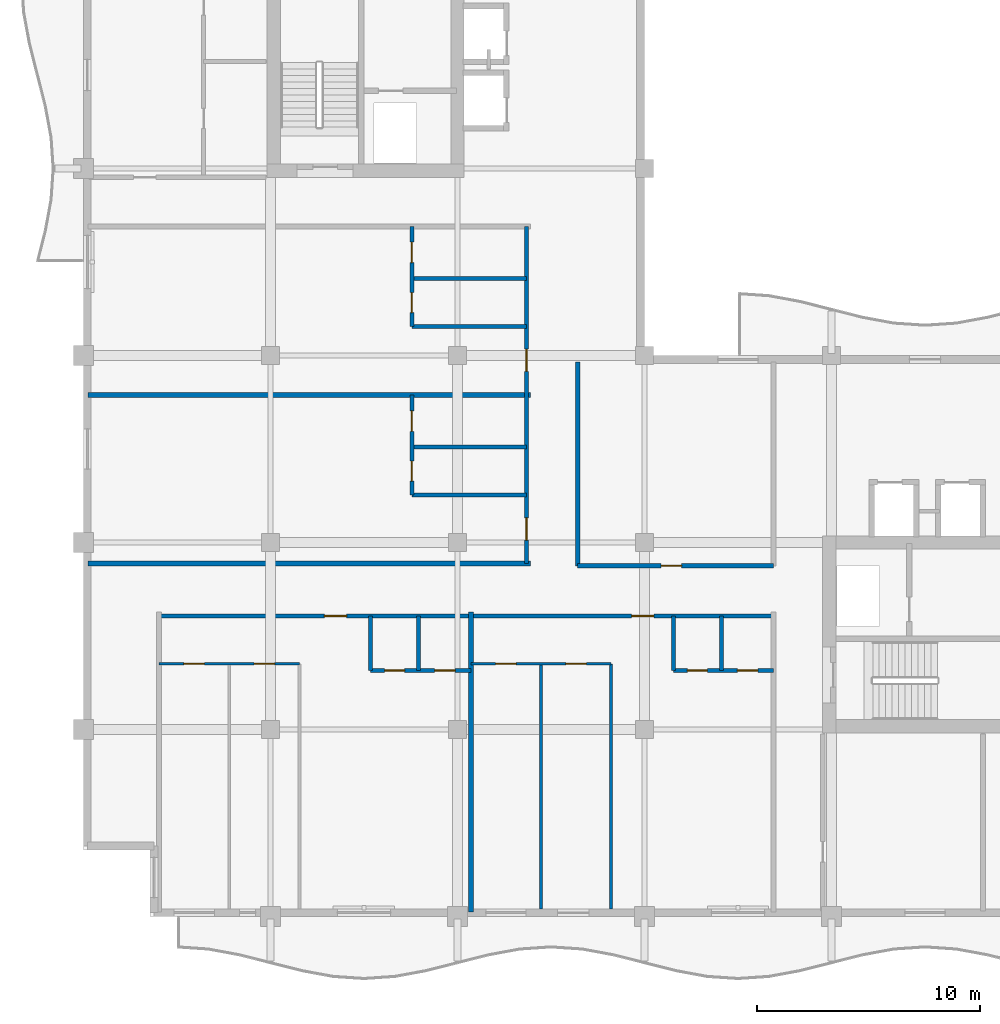
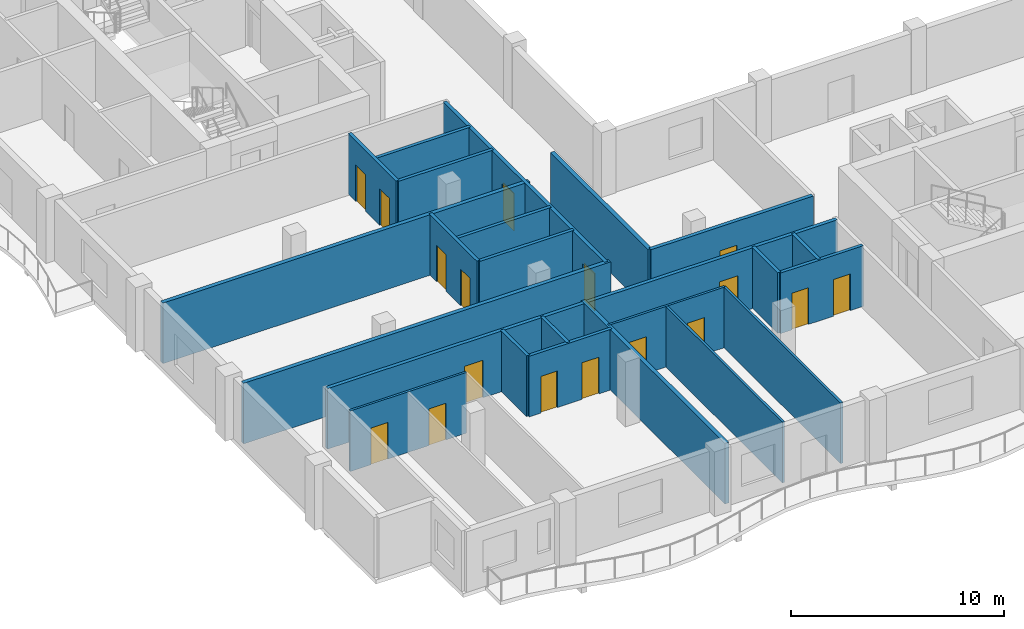
# One storey, part 6 of 16: 23 walls, 17 doors, 17 openings.
"""IFC4 building model written with IfcOpenShell, lengths in metres."""

from ifc_helpers import new_model, si_unit, direction, frame, frame_2d, origin, place, context, subcontext, project, spatial, rectangle, extrude, material, layer, layer_set, type_object, element, fill, save


model = new_model("IFC4")

# Units and contexts
model_context = context("Model", 3, precision=1e-05, world=origin(), true_north=direction((0.0, 1.0)))
body_context = subcontext(model_context, "Body", "Model", "MODEL_VIEW")
ifc_project = project(units=[si_unit("LENGTHUNIT", "METRE"), si_unit("AREAUNIT", "SQUARE_METRE"), si_unit("VOLUMEUNIT", "CUBIC_METRE"), si_unit("PLANEANGLEUNIT", "RADIAN"), si_unit("MASSUNIT", "GRAM", prefix="KILO")], contexts=[model_context])

# Site, building, storey
site_placement = place(None, origin())
site = spatial("IfcSite", under=ifc_project, at=site_placement, CompositionType="ELEMENT")
building_placement = place(site_placement, origin())
building = spatial("IfcBuilding", under=site, at=building_placement, Name="Koriwani Terraces Tower", CompositionType="ELEMENT")
storey_placement = place(building_placement, frame((0.0, 0.0, 260.10009765625)))
storey = spatial("IfcBuildingStorey", under=building, at=storey_placement, Name="L64", CompositionType="ELEMENT", Elevation=260.10009765625)

# Wall, opening, door
ifc_material_1 = material(Name="Autoclaved Cellular Concrete Blockwork", Category="masonry")
ifc_layer_1 = layer(ifc_material_1, 0.199951171875, Name="Autoclaved Cellular Concrete Blockwork")
ifc_layer_set_1 = layer_set([ifc_layer_1], Name="Autoclaved Cellular Concrete Blockwork")
wall_type_1 = type_object("IfcWallType", Name="WALL_CORRIDOR_200", PredefinedType="PARTITIONING", material=ifc_layer_set_1)
wall_1_placement = place(storey_placement, frame((30.60009765625, 24.14990234375, 0.0), z_axis=(0.0, 0.0, 1.0), x_axis=(1.0, 0.0, 0.0)))
wall_1 = element("IfcWall", 1, at=wall_1_placement, inside=storey, type_object=wall_type_1, Name="L64 Interior Wall WIC4S-L64", PredefinedType="PARTITIONING", context=body_context, shape_type="SweptSolid", body=[
    extrude(rectangle(XDim=8.7998046875, YDim=0.199951171875, at=frame_2d((4.39990234375, 0.0))), origin(), (0.0, 0.0, 1.0), 3.469970703125),
])
opening_1_placement = place(wall_1_placement, frame((3.75, 0.0, 0.0)))
opening_1 = element("IfcOpeningElement", 2, at=opening_1_placement, cuts=wall_1, Name="Opening D-06", PredefinedType="OPENING", context=body_context, shape_type="SweptSolid", body=[
    extrude(rectangle(XDim=0.919921875, YDim=2.10009765625, at=frame_2d((0.4599609375, 1.050048828125))), frame((0.0, 0.10986328125, 0.0), z_axis=(0.0, -1.0, 0.0), x_axis=(1.0, 0.0, 0.0)), (0.0, 0.0, 1.0), 0.219970703125),
])
ifc_material_2 = material(Name="Architectural Oak Fire Door", Category="wood")
door_type_1 = type_object("IfcDoorType", Name="DOOR_ROOM_INT_920X2100", OperationType="NOTDEFINED", PredefinedType="DOOR", material=ifc_material_2)
door_1_placement = place(opening_1_placement, origin())
door_1 = element("IfcDoor", 3, at=door_1_placement, inside=storey, type_object=door_type_1, Name="L64 High-Rise Court Lounge Door", OperationType="SINGLE_SWING_RIGHT", OverallHeight=2.10009765625, OverallWidth=0.919921875, PredefinedType="DOOR", context=body_context, shape_type="SweptSolid", body=[
    extrude(rectangle(XDim=0.919921875, YDim=2.10009765625, at=frame_2d((0.4599609375, 1.050048828125))), frame((0.0, 0.02490234375, 0.0), z_axis=(0.0, -1.0, 0.0), x_axis=(1.0, 0.0, 0.0)), (0.0, 0.0, 1.0), 0.050048828125),
])
fill(opening_1, door_1)

# Wall, openings, doors
wall_2_placement = place(storey_placement, frame((11.800048828125, 21.89990234375, 0.0), z_axis=(0.0, 0.0, 1.0), x_axis=(1.0, 0.0, 0.0)))
wall_2 = element("IfcWall", 4, at=wall_2_placement, inside=storey, type_object=wall_type_1, Name="L64 Interior Wall WRCOR-L64-SW-0", PredefinedType="PARTITIONING", context=body_context, shape_type="SweptSolid", body=[
    extrude(rectangle(XDim=27.599853515625, YDim=0.199951171875, at=frame_2d((13.7998046875, 0.0))), origin(), (0.0, 0.0, 1.0), 3.469970703125),
])
opening_2_placement = place(wall_2_placement, frame((7.419921875, 0.0, 0.0)))
opening_2 = element("IfcOpeningElement", 5, at=opening_2_placement, cuts=wall_2, Name="Opening D-05", PredefinedType="OPENING", context=body_context, shape_type="SweptSolid", body=[
    extrude(rectangle(XDim=1.0, YDim=2.14990234375, at=frame_2d((0.5, 1.074951171875))), frame((0.0, 0.10986328125, 0.0), z_axis=(0.0, -1.0, 0.0), x_axis=(1.0, 0.0, 0.0)), (0.0, 0.0, 1.0), 0.219970703125),
])
opening_3_placement = place(wall_2_placement, frame((21.219970703125, 0.0, 0.0)))
opening_3 = element("IfcOpeningElement", 6, at=opening_3_placement, cuts=wall_2, Name="Opening D-05", PredefinedType="OPENING", context=body_context, shape_type="SweptSolid", body=[
    extrude(rectangle(XDim=1.0, YDim=2.14990234375, at=frame_2d((0.5, 1.074951171875))), frame((0.0, 0.10986328125, 0.0), z_axis=(0.0, -1.0, 0.0), x_axis=(1.0, 0.0, 0.0)), (0.0, 0.0, 1.0), 0.219970703125),
])
door_type_2 = type_object("IfcDoorType", Name="DOOR_SUITE_ENTRY_1000X2150", OperationType="NOTDEFINED", PredefinedType="DOOR", material=ifc_material_2)
door_2_placement = place(opening_2_placement, origin())
door_2 = element("IfcDoor", 7, at=door_2_placement, inside=storey, type_object=door_type_2, Name="Apartment 64SW1 Entrance Door", OperationType="SINGLE_SWING_LEFT", OverallHeight=2.14990234375, OverallWidth=1.0, PredefinedType="DOOR", context=body_context, shape_type="SweptSolid", body=[
    extrude(rectangle(XDim=1.0, YDim=2.14990234375, at=frame_2d((0.5, 1.074951171875))), frame((0.0, 0.02490234375, 0.0), z_axis=(0.0, -1.0, 0.0), x_axis=(1.0, 0.0, 0.0)), (0.0, 0.0, 1.0), 0.050048828125),
])
fill(opening_2, door_2)
door_3_placement = place(opening_3_placement, origin())
door_3 = element("IfcDoor", 8, at=door_3_placement, inside=storey, type_object=door_type_2, Name="Apartment 64SW2 Entrance Door", OperationType="SINGLE_SWING_RIGHT", OverallHeight=2.14990234375, OverallWidth=1.0, PredefinedType="DOOR", context=body_context, shape_type="SweptSolid", body=[
    extrude(rectangle(XDim=1.0, YDim=2.14990234375, at=frame_2d((0.5, 1.074951171875))), frame((0.0, 0.02490234375, 0.0), z_axis=(0.0, -1.0, 0.0), x_axis=(1.0, 0.0, 0.0)), (0.0, 0.0, 1.0), 0.050048828125),
])
fill(opening_3, door_3)

wall_3_placement = place(storey_placement, frame((28.300048828125, 24.25, 0.0), z_axis=(0.0, 0.0, 1.0), x_axis=(0.0, 1.0, 0.0)))
wall_3 = element("IfcWall", 9, at=wall_3_placement, inside=storey, type_object=wall_type_1, Name="L64 Interior Wall WRCOR-L64-NE-0", PredefinedType="PARTITIONING", context=body_context, shape_type="SweptSolid", body=[
    extrude(rectangle(XDim=15.14990234375, YDim=0.199951171875, at=frame_2d((7.574951171875, 0.0))), origin(), (0.0, 0.0, 1.0), 3.469970703125),
])
opening_4_placement = place(wall_3_placement, frame((1.0576171875, 0.0, 0.0)))
opening_4 = element("IfcOpeningElement", 10, at=opening_4_placement, cuts=wall_3, Name="Opening D-05", PredefinedType="OPENING", context=body_context, shape_type="SweptSolid", body=[
    extrude(rectangle(XDim=1.0, YDim=2.14990234375, at=frame_2d((0.5, 1.074951171875))), frame((0.0, 0.10986328125, 0.0), z_axis=(0.0, -1.0, 0.0), x_axis=(1.0, 0.0, 0.0)), (0.0, 0.0, 1.0), 0.219970703125),
])
opening_5_placement = place(wall_3_placement, frame((8.632568359375, 0.0, 0.0)))
opening_5 = element("IfcOpeningElement", 11, at=opening_5_placement, cuts=wall_3, Name="Opening D-05", PredefinedType="OPENING", context=body_context, shape_type="SweptSolid", body=[
    extrude(rectangle(XDim=1.0, YDim=2.14990234375, at=frame_2d((0.5, 1.074951171875))), frame((0.0, 0.10986328125, 0.0), z_axis=(0.0, -1.0, 0.0), x_axis=(1.0, 0.0, 0.0)), (0.0, 0.0, 1.0), 0.219970703125),
])
door_4_placement = place(opening_4_placement, origin())
door_4 = element("IfcDoor", 12, at=door_4_placement, inside=storey, type_object=door_type_2, Name="Apartment 64NE1 Entrance Door", OperationType="SINGLE_SWING_LEFT", OverallHeight=2.14990234375, OverallWidth=1.0, PredefinedType="DOOR", context=body_context, shape_type="SweptSolid", body=[
    extrude(rectangle(XDim=1.0, YDim=2.14990234375, at=frame_2d((0.5, 1.074951171875))), frame((0.0, 0.02490234375, 0.0), z_axis=(0.0, -1.0, 0.0), x_axis=(1.0, 0.0, 0.0)), (0.0, 0.0, 1.0), 0.050048828125),
])
fill(opening_4, door_4)
door_5_placement = place(opening_5_placement, origin())
door_5 = element("IfcDoor", 13, at=door_5_placement, inside=storey, type_object=door_type_2, Name="Apartment 64NE2 Entrance Door", OperationType="SINGLE_SWING_RIGHT", OverallHeight=2.14990234375, OverallWidth=1.0, PredefinedType="DOOR", context=body_context, shape_type="SweptSolid", body=[
    extrude(rectangle(XDim=1.0, YDim=2.14990234375, at=frame_2d((0.5, 1.074951171875))), frame((0.0, 0.02490234375, 0.0), z_axis=(0.0, -1.0, 0.0), x_axis=(1.0, 0.0, 0.0)), (0.0, 0.0, 1.0), 0.050048828125),
])
fill(opening_5, door_5)

# Walls
ifc_layer_2 = layer(ifc_material_1, 0.219970703125, Name="Autoclaved Cellular Concrete Blockwork")
ifc_layer_set_2 = layer_set([ifc_layer_2], Name="Autoclaved Cellular Concrete Blockwork")
wall_type_2 = type_object("IfcWallType", Name="WALL_DEMISING_220", PredefinedType="PARTITIONING", material=ifc_layer_set_2)
wall_4_placement = place(storey_placement, frame((30.60009765625, 24.14990234375, 0.0), z_axis=(0.0, 0.0, 1.0), x_axis=(0.0, 1.0, 0.0)))
element("IfcWall", 14, at=wall_4_placement, inside=storey, type_object=wall_type_2, Name="L64 Interior Wall WIC4SW-L64", PredefinedType="PARTITIONING", context=body_context, shape_type="SweptSolid", body=[
    extrude(rectangle(XDim=9.150146484375, YDim=0.219970703125, at=frame_2d((4.5751953125, 0.0))), origin(), (0.0, 0.0, 1.0), 3.469970703125),
])
wall_5_placement = place(storey_placement, frame((25.800048828125, 8.60009765625, 0.0), z_axis=(0.0, 0.0, 1.0), x_axis=(0.0, 1.0, 0.0)))
element("IfcWall", 15, at=wall_5_placement, inside=storey, type_object=wall_type_2, Name="L64 Interior Wall WRDEM-L64-SW-1", PredefinedType="PARTITIONING", context=body_context, shape_type="SweptSolid", body=[
    extrude(rectangle(XDim=13.47998046875, YDim=0.219970703125, at=frame_2d((6.739990234375, 0.0))), origin(), (0.0, 0.0, 1.0), 3.469970703125),
])
for number, where, z_axis, x_axis, name in (
    (16, (8.60009765625, 24.25, 0.0), (0.0, 0.0, 1.0), (1.0, 0.0, 0.0), "L64 Interior Wall WRDEM-L64-NE-0"),
    (17, (8.60009765625, 31.824951171875, 0.0), (0.0, 0.0, 1.0), (1.0, 0.0, 0.0), "L64 Interior Wall WRDEM-L64-NE-1"),
):
    element("IfcWall", number, at=place(storey_placement, frame(where, z_axis=z_axis, x_axis=x_axis)), inside=storey, type_object=wall_type_2, Name=name, PredefinedType="PARTITIONING", context=body_context, shape_type="SweptSolid", body=[
        extrude(rectangle(XDim=19.8798828125, YDim=0.219970703125, at=frame_2d((9.93994140625, 0.0))), origin(), (0.0, 0.0, 1.0), 3.469970703125),
    ])

# Wall, openings, doors
ifc_material_3 = material(Name="Fire-Rated Acoustic Gypsum Partition", Category="masonry")
ifc_layer_3 = layer(ifc_material_3, 0.125, Name="Fire-Rated Acoustic Gypsum Partition")
ifc_layer_set_3 = layer_set([ifc_layer_3], Name="Fire-Rated Acoustic Gypsum Partition")
wall_type_3 = type_object("IfcWallType", Name="WALL_INT_125", PredefinedType="PARTITIONING", material=ifc_layer_set_3)
wall_6_placement = place(storey_placement, frame((11.800048828125, 19.75, 0.0), z_axis=(0.0, 0.0, 1.0), x_axis=(1.0, 0.0, 0.0)))
wall_6 = element("IfcWall", 18, at=wall_6_placement, inside=storey, type_object=wall_type_3, Name="L64 Interior Wall WRBH-L64-SW-0", PredefinedType="PARTITIONING", context=body_context, shape_type="SweptSolid", body=[
    extrude(rectangle(XDim=6.300048828125, YDim=0.125, at=frame_2d((3.14990234375, 0.0))), origin(), (0.0, 0.0, 1.0), 3.469970703125),
])
opening_6_placement = place(wall_6_placement, frame((1.114990234375, 0.0, 0.0)))
opening_6 = element("IfcOpeningElement", 19, at=opening_6_placement, cuts=wall_6, Name="Opening D-06", PredefinedType="OPENING", context=body_context, shape_type="SweptSolid", body=[
    extrude(rectangle(XDim=0.919921875, YDim=2.10009765625, at=frame_2d((0.4599609375, 1.050048828125))), frame((0.0, 0.072509765625, 0.0), z_axis=(0.0, -1.0, 0.0), x_axis=(1.0, 0.0, 0.0)), (0.0, 0.0, 1.0), 0.14501953125),
])
opening_7_placement = place(wall_6_placement, frame((4.264892578125, 0.0, 0.0)))
opening_7 = element("IfcOpeningElement", 20, at=opening_7_placement, cuts=wall_6, Name="Opening D-06", PredefinedType="OPENING", context=body_context, shape_type="SweptSolid", body=[
    extrude(rectangle(XDim=0.919921875, YDim=2.10009765625, at=frame_2d((0.4599609375, 1.050048828125))), frame((0.0, 0.072509765625, 0.0), z_axis=(0.0, -1.0, 0.0), x_axis=(1.0, 0.0, 0.0)), (0.0, 0.0, 1.0), 0.14501953125),
])
door_6_placement = place(opening_6_placement, origin())
door_6 = element("IfcDoor", 21, at=door_6_placement, inside=storey, type_object=door_type_1, Name="Apartment 64SW1 Master Bedroom Door", OperationType="SINGLE_SWING_RIGHT", OverallHeight=2.10009765625, OverallWidth=0.919921875, PredefinedType="DOOR", context=body_context, shape_type="SweptSolid", body=[
    extrude(rectangle(XDim=0.919921875, YDim=2.10009765625, at=frame_2d((0.4599609375, 1.050048828125))), frame((0.0, 0.02490234375, 0.0), z_axis=(0.0, -1.0, 0.0), x_axis=(1.0, 0.0, 0.0)), (0.0, 0.0, 1.0), 0.050048828125),
])
fill(opening_6, door_6)
door_7_placement = place(opening_7_placement, origin())
door_7 = element("IfcDoor", 22, at=door_7_placement, inside=storey, type_object=door_type_1, Name="Apartment 64SW1 Bedroom 2 Door", OperationType="SINGLE_SWING_LEFT", OverallHeight=2.10009765625, OverallWidth=0.919921875, PredefinedType="DOOR", context=body_context, shape_type="SweptSolid", body=[
    extrude(rectangle(XDim=0.919921875, YDim=2.10009765625, at=frame_2d((0.4599609375, 1.050048828125))), frame((0.0, 0.02490234375, 0.0), z_axis=(0.0, -1.0, 0.0), x_axis=(1.0, 0.0, 0.0)), (0.0, 0.0, 1.0), 0.050048828125),
])
fill(opening_7, door_7)

# Walls
for number, where, z_axis, x_axis, name in (
    (23, (28.949951171875, 8.75, 0.0), (0.0, 0.0, 1.0), (0.0, 1.0, 0.0), "L64 Interior Wall WRB12-L64-SW-1"),
    (24, (32.10009765625, 8.75, 0.0), (0.0, 0.0, 1.0), (0.0, 1.0, 0.0), "L64 Interior Wall WRB2L-L64-SW-1"),
):
    element("IfcWall", number, at=place(storey_placement, frame(where, z_axis=z_axis, x_axis=x_axis)), inside=storey, type_object=wall_type_3, Name=name, PredefinedType="PARTITIONING", context=body_context, shape_type="SweptSolid", body=[
        extrude(rectangle(XDim=11.0, YDim=0.125, at=frame_2d((5.5, 0.0))), origin(), (0.0, 0.0, 1.0), 3.469970703125),
    ])

# Wall, openings, doors
wall_7_placement = place(storey_placement, frame((25.800048828125, 19.75, 0.0), z_axis=(0.0, 0.0, 1.0), x_axis=(1.0, 0.0, 0.0)))
wall_7 = element("IfcWall", 25, at=wall_7_placement, inside=storey, type_object=wall_type_3, Name="L64 Interior Wall WRBH-L64-SW-1", PredefinedType="PARTITIONING", context=body_context, shape_type="SweptSolid", body=[
    extrude(rectangle(XDim=6.300048828125, YDim=0.125, at=frame_2d((3.14990234375, 0.0))), origin(), (0.0, 0.0, 1.0), 3.469970703125),
])
opening_8_placement = place(wall_7_placement, frame((1.114990234375, 0.0, 0.0)))
opening_8 = element("IfcOpeningElement", 26, at=opening_8_placement, cuts=wall_7, Name="Opening D-06", PredefinedType="OPENING", context=body_context, shape_type="SweptSolid", body=[
    extrude(rectangle(XDim=0.919921875, YDim=2.10009765625, at=frame_2d((0.4599609375, 1.050048828125))), frame((0.0, 0.072509765625, 0.0), z_axis=(0.0, -1.0, 0.0), x_axis=(1.0, 0.0, 0.0)), (0.0, 0.0, 1.0), 0.14501953125),
])
opening_9_placement = place(wall_7_placement, frame((4.264892578125, 0.0, 0.0)))
opening_9 = element("IfcOpeningElement", 27, at=opening_9_placement, cuts=wall_7, Name="Opening D-06", PredefinedType="OPENING", context=body_context, shape_type="SweptSolid", body=[
    extrude(rectangle(XDim=0.919921875, YDim=2.10009765625, at=frame_2d((0.4599609375, 1.050048828125))), frame((0.0, 0.072509765625, 0.0), z_axis=(0.0, -1.0, 0.0), x_axis=(1.0, 0.0, 0.0)), (0.0, 0.0, 1.0), 0.14501953125),
])
door_8_placement = place(opening_8_placement, origin())
door_8 = element("IfcDoor", 28, at=door_8_placement, inside=storey, type_object=door_type_1, Name="Apartment 64SW2 Master Bedroom Door", OperationType="SINGLE_SWING_LEFT", OverallHeight=2.10009765625, OverallWidth=0.919921875, PredefinedType="DOOR", context=body_context, shape_type="SweptSolid", body=[
    extrude(rectangle(XDim=0.919921875, YDim=2.10009765625, at=frame_2d((0.4599609375, 1.050048828125))), frame((0.0, 0.02490234375, 0.0), z_axis=(0.0, -1.0, 0.0), x_axis=(1.0, 0.0, 0.0)), (0.0, 0.0, 1.0), 0.050048828125),
])
fill(opening_8, door_8)
door_9_placement = place(opening_9_placement, origin())
door_9 = element("IfcDoor", 29, at=door_9_placement, inside=storey, type_object=door_type_1, Name="Apartment 64SW2 Bedroom 2 Door", OperationType="SINGLE_SWING_RIGHT", OverallHeight=2.10009765625, OverallWidth=0.919921875, PredefinedType="DOOR", context=body_context, shape_type="SweptSolid", body=[
    extrude(rectangle(XDim=0.919921875, YDim=2.10009765625, at=frame_2d((0.4599609375, 1.050048828125))), frame((0.0, 0.02490234375, 0.0), z_axis=(0.0, -1.0, 0.0), x_axis=(1.0, 0.0, 0.0)), (0.0, 0.0, 1.0), 0.050048828125),
])
fill(opening_9, door_9)

ifc_layer_4 = layer(ifc_material_3, 0.179931640625, Name="Fire-Rated Acoustic Gypsum Partition")
ifc_layer_set_4 = layer_set([ifc_layer_4], Name="Fire-Rated Acoustic Gypsum Partition")
wall_type_4 = type_object("IfcWallType", Name="WALL_PLUMBING_180", PredefinedType="PLUMBINGWALL", material=ifc_layer_set_4)
wall_8_placement = place(storey_placement, frame((21.300048828125, 19.449951171875, 0.0), z_axis=(0.0, 0.0, 1.0), x_axis=(1.0, 0.0, 0.0)))
wall_8 = element("IfcWall", 30, at=wall_8_placement, inside=storey, type_object=wall_type_4, Name="L64 Interior Wall WRSVC-L64-SW-0", PredefinedType="PLUMBINGWALL", context=body_context, shape_type="SweptSolid", body=[
    extrude(rectangle(XDim=4.5, YDim=0.179931640625, at=frame_2d((2.25, 0.0))), origin(), (0.0, 0.0, 1.0), 3.469970703125),
])
opening_10_placement = place(wall_8_placement, frame((0.6298828125, 0.0, 0.0)))
opening_10 = element("IfcOpeningElement", 31, at=opening_10_placement, cuts=wall_8, Name="Opening D-07", PredefinedType="OPENING", context=body_context, shape_type="SweptSolid", body=[
    extrude(rectangle(XDim=0.89990234375, YDim=2.10009765625, at=frame_2d((0.449951171875, 1.050048828125))), frame((0.0, 0.10009765625, 0.0), z_axis=(0.0, -1.0, 0.0), x_axis=(1.0, 0.0, 0.0)), (0.0, 0.0, 1.0), 0.199951171875),
])
opening_11_placement = place(wall_8_placement, frame((2.8701171875, 0.0, 0.0)))
opening_11 = element("IfcOpeningElement", 32, at=opening_11_placement, cuts=wall_8, Name="Opening D-06", PredefinedType="OPENING", context=body_context, shape_type="SweptSolid", body=[
    extrude(rectangle(XDim=0.919921875, YDim=2.10009765625, at=frame_2d((0.4599609375, 1.050048828125))), frame((0.0, 0.10009765625, 0.0), z_axis=(0.0, -1.0, 0.0), x_axis=(1.0, 0.0, 0.0)), (0.0, 0.0, 1.0), 0.199951171875),
])
door_type_3 = type_object("IfcDoorType", Name="DOOR_BATH_INT_900X2100", OperationType="NOTDEFINED", PredefinedType="DOOR", material=ifc_material_2)
door_10_placement = place(opening_10_placement, origin())
door_10 = element("IfcDoor", 33, at=door_10_placement, inside=storey, type_object=door_type_3, Name="Apartment 64SW1 Bathroom Door", OperationType="SINGLE_SWING_RIGHT", OverallHeight=2.10009765625, OverallWidth=0.89990234375, PredefinedType="DOOR", context=body_context, shape_type="SweptSolid", body=[
    extrude(rectangle(XDim=0.89990234375, YDim=2.10009765625, at=frame_2d((0.449951171875, 1.050048828125))), frame((0.0, 0.02490234375, 0.0), z_axis=(0.0, -1.0, 0.0), x_axis=(1.0, 0.0, 0.0)), (0.0, 0.0, 1.0), 0.050048828125),
])
fill(opening_10, door_10)
door_11_placement = place(opening_11_placement, origin())
door_11 = element("IfcDoor", 34, at=door_11_placement, inside=storey, type_object=door_type_1, Name="Apartment 64SW1 Kitchen Door", OperationType="SINGLE_SWING_LEFT", OverallHeight=2.10009765625, OverallWidth=0.919921875, PredefinedType="DOOR", context=body_context, shape_type="SweptSolid", body=[
    extrude(rectangle(XDim=0.919921875, YDim=2.10009765625, at=frame_2d((0.4599609375, 1.050048828125))), frame((0.0, 0.02490234375, 0.0), z_axis=(0.0, -1.0, 0.0), x_axis=(1.0, 0.0, 0.0)), (0.0, 0.0, 1.0), 0.050048828125),
])
fill(opening_11, door_11)

# Walls
for number, where, z_axis, x_axis, name in (
    (35, (21.300048828125, 19.449951171875, 0.0), (0.0, 0.0, 1.0), (0.0, 1.0, 0.0), "L64 Interior Wall WRSVCS-L64-SW-0"),
    (36, (23.4599609375, 19.449951171875, 0.0), (0.0, 0.0, 1.0), (0.0, 1.0, 0.0), "L64 Interior Wall WRSVCM-L64-SW-0"),
):
    element("IfcWall", number, at=place(storey_placement, frame(where, z_axis=z_axis, x_axis=x_axis)), inside=storey, type_object=wall_type_4, Name=name, PredefinedType="PLUMBINGWALL", context=body_context, shape_type="SweptSolid", body=[
        extrude(rectangle(XDim=2.449951171875, YDim=0.179931640625, at=frame_2d((1.22509765625, 0.0))), origin(), (0.0, 0.0, 1.0), 3.469970703125),
    ])

# Wall, openings, doors
wall_9_placement = place(storey_placement, frame((34.89990234375, 19.449951171875, 0.0), z_axis=(0.0, 0.0, 1.0), x_axis=(1.0, 0.0, 0.0)))
wall_9 = element("IfcWall", 37, at=wall_9_placement, inside=storey, type_object=wall_type_4, Name="L64 Interior Wall WRSVC-L64-SW-1", PredefinedType="PLUMBINGWALL", context=body_context, shape_type="SweptSolid", body=[
    extrude(rectangle(XDim=4.5, YDim=0.179931640625, at=frame_2d((2.25, 0.0))), origin(), (0.0, 0.0, 1.0), 3.469970703125),
])
opening_12_placement = place(wall_9_placement, frame((0.6298828125, 0.0, 0.0)))
opening_12 = element("IfcOpeningElement", 38, at=opening_12_placement, cuts=wall_9, Name="Opening D-07", PredefinedType="OPENING", context=body_context, shape_type="SweptSolid", body=[
    extrude(rectangle(XDim=0.89990234375, YDim=2.10009765625, at=frame_2d((0.449951171875, 1.050048828125))), frame((0.0, 0.10009765625, 0.0), z_axis=(0.0, -1.0, 0.0), x_axis=(1.0, 0.0, 0.0)), (0.0, 0.0, 1.0), 0.199951171875),
])
opening_13_placement = place(wall_9_placement, frame((2.8701171875, 0.0, 0.0)))
opening_13 = element("IfcOpeningElement", 39, at=opening_13_placement, cuts=wall_9, Name="Opening D-06", PredefinedType="OPENING", context=body_context, shape_type="SweptSolid", body=[
    extrude(rectangle(XDim=0.919921875, YDim=2.10009765625, at=frame_2d((0.4599609375, 1.050048828125))), frame((0.0, 0.10009765625, 0.0), z_axis=(0.0, -1.0, 0.0), x_axis=(1.0, 0.0, 0.0)), (0.0, 0.0, 1.0), 0.199951171875),
])
door_12_placement = place(opening_12_placement, origin())
door_12 = element("IfcDoor", 40, at=door_12_placement, inside=storey, type_object=door_type_3, Name="Apartment 64SW2 Bathroom Door", OperationType="SINGLE_SWING_LEFT", OverallHeight=2.10009765625, OverallWidth=0.89990234375, PredefinedType="DOOR", context=body_context, shape_type="SweptSolid", body=[
    extrude(rectangle(XDim=0.89990234375, YDim=2.10009765625, at=frame_2d((0.449951171875, 1.050048828125))), frame((0.0, 0.02490234375, 0.0), z_axis=(0.0, -1.0, 0.0), x_axis=(1.0, 0.0, 0.0)), (0.0, 0.0, 1.0), 0.050048828125),
])
fill(opening_12, door_12)
door_13_placement = place(opening_13_placement, origin())
door_13 = element("IfcDoor", 41, at=door_13_placement, inside=storey, type_object=door_type_1, Name="Apartment 64SW2 Kitchen Door", OperationType="SINGLE_SWING_RIGHT", OverallHeight=2.10009765625, OverallWidth=0.919921875, PredefinedType="DOOR", context=body_context, shape_type="SweptSolid", body=[
    extrude(rectangle(XDim=0.919921875, YDim=2.10009765625, at=frame_2d((0.4599609375, 1.050048828125))), frame((0.0, 0.02490234375, 0.0), z_axis=(0.0, -1.0, 0.0), x_axis=(1.0, 0.0, 0.0)), (0.0, 0.0, 1.0), 0.050048828125),
])
fill(opening_13, door_13)

# Walls
for number, where, z_axis, x_axis, name in (
    (42, (34.89990234375, 19.449951171875, 0.0), (0.0, 0.0, 1.0), (0.0, 1.0, 0.0), "L64 Interior Wall WRSVCS-L64-SW-1"),
    (43, (37.06005859375, 19.449951171875, 0.0), (0.0, 0.0, 1.0), (0.0, 1.0, 0.0), "L64 Interior Wall WRSVCM-L64-SW-1"),
):
    element("IfcWall", number, at=place(storey_placement, frame(where, z_axis=z_axis, x_axis=x_axis)), inside=storey, type_object=wall_type_4, Name=name, PredefinedType="PLUMBINGWALL", context=body_context, shape_type="SweptSolid", body=[
        extrude(rectangle(XDim=2.449951171875, YDim=0.179931640625, at=frame_2d((1.22509765625, 0.0))), origin(), (0.0, 0.0, 1.0), 3.469970703125),
    ])

# Wall, openings, doors
wall_10_placement = place(storey_placement, frame((23.14990234375, 27.324951171875, 0.0), z_axis=(0.0, 0.0, 1.0), x_axis=(0.0, 1.0, 0.0)))
wall_10 = element("IfcWall", 44, at=wall_10_placement, inside=storey, type_object=wall_type_4, Name="L64 Interior Wall WRSVC-L64-NE-0", PredefinedType="PLUMBINGWALL", context=body_context, shape_type="SweptSolid", body=[
    extrude(rectangle(XDim=4.5, YDim=0.179931640625, at=frame_2d((2.25, 0.0))), origin(), (0.0, 0.0, 1.0), 3.469970703125),
])
opening_14_placement = place(wall_10_placement, frame((0.6298828125, 0.0, 0.0)))
opening_14 = element("IfcOpeningElement", 45, at=opening_14_placement, cuts=wall_10, Name="Opening D-07", PredefinedType="OPENING", context=body_context, shape_type="SweptSolid", body=[
    extrude(rectangle(XDim=0.89990234375, YDim=2.10009765625, at=frame_2d((0.449951171875, 1.050048828125))), frame((0.0, 0.10009765625, 0.0), z_axis=(0.0, -1.0, 0.0), x_axis=(1.0, 0.0, 0.0)), (0.0, 0.0, 1.0), 0.199951171875),
])
opening_15_placement = place(wall_10_placement, frame((2.8701171875, 0.0, 0.0)))
opening_15 = element("IfcOpeningElement", 46, at=opening_15_placement, cuts=wall_10, Name="Opening D-06", PredefinedType="OPENING", context=body_context, shape_type="SweptSolid", body=[
    extrude(rectangle(XDim=0.919921875, YDim=2.10009765625, at=frame_2d((0.4599609375, 1.050048828125))), frame((0.0, 0.10009765625, 0.0), z_axis=(0.0, -1.0, 0.0), x_axis=(1.0, 0.0, 0.0)), (0.0, 0.0, 1.0), 0.199951171875),
])
door_14_placement = place(opening_14_placement, origin())
door_14 = element("IfcDoor", 47, at=door_14_placement, inside=storey, type_object=door_type_3, Name="Apartment 64NE1 Bathroom Door", OperationType="SINGLE_SWING_RIGHT", OverallHeight=2.10009765625, OverallWidth=0.89990234375, PredefinedType="DOOR", context=body_context, shape_type="SweptSolid", body=[
    extrude(rectangle(XDim=0.89990234375, YDim=2.10009765625, at=frame_2d((0.449951171875, 1.050048828125))), frame((0.0, 0.02490234375, 0.0), z_axis=(0.0, -1.0, 0.0), x_axis=(1.0, 0.0, 0.0)), (0.0, 0.0, 1.0), 0.050048828125),
])
fill(opening_14, door_14)
door_15_placement = place(opening_15_placement, origin())
door_15 = element("IfcDoor", 48, at=door_15_placement, inside=storey, type_object=door_type_1, Name="Apartment 64NE1 Kitchen Door", OperationType="SINGLE_SWING_LEFT", OverallHeight=2.10009765625, OverallWidth=0.919921875, PredefinedType="DOOR", context=body_context, shape_type="SweptSolid", body=[
    extrude(rectangle(XDim=0.919921875, YDim=2.10009765625, at=frame_2d((0.4599609375, 1.050048828125))), frame((0.0, 0.02490234375, 0.0), z_axis=(0.0, -1.0, 0.0), x_axis=(1.0, 0.0, 0.0)), (0.0, 0.0, 1.0), 0.050048828125),
])
fill(opening_15, door_15)

# Walls
for number, where, z_axis, x_axis, name in (
    (49, (23.14990234375, 27.324951171875, 0.0), (0.0, 0.0, 1.0), (1.0, 0.0, 0.0), "L64 Interior Wall WRSVCS-L64-NE-0"),
    (50, (23.14990234375, 29.485107421875, 0.0), (0.0, 0.0, 1.0), (1.0, 0.0, 0.0), "L64 Interior Wall WRSVCM-L64-NE-0"),
):
    element("IfcWall", number, at=place(storey_placement, frame(where, z_axis=z_axis, x_axis=x_axis)), inside=storey, type_object=wall_type_4, Name=name, PredefinedType="PLUMBINGWALL", context=body_context, shape_type="SweptSolid", body=[
        extrude(rectangle(XDim=5.150146484375, YDim=0.179931640625, at=frame_2d((2.5751953125, 0.0))), origin(), (0.0, 0.0, 1.0), 3.469970703125),
    ])

# Wall, openings, doors
wall_11_placement = place(storey_placement, frame((23.14990234375, 34.89990234375, 0.0), z_axis=(0.0, 0.0, 1.0), x_axis=(0.0, 1.0, 0.0)))
wall_11 = element("IfcWall", 51, at=wall_11_placement, inside=storey, type_object=wall_type_4, Name="L64 Interior Wall WRSVC-L64-NE-1", PredefinedType="PLUMBINGWALL", context=body_context, shape_type="SweptSolid", body=[
    extrude(rectangle(XDim=4.5, YDim=0.179931640625, at=frame_2d((2.25, 0.0))), origin(), (0.0, 0.0, 1.0), 3.469970703125),
])
opening_16_placement = place(wall_11_placement, frame((0.6298828125, 0.0, 0.0)))
opening_16 = element("IfcOpeningElement", 52, at=opening_16_placement, cuts=wall_11, Name="Opening D-07", PredefinedType="OPENING", context=body_context, shape_type="SweptSolid", body=[
    extrude(rectangle(XDim=0.89990234375, YDim=2.10009765625, at=frame_2d((0.449951171875, 1.050048828125))), frame((0.0, 0.10009765625, 0.0), z_axis=(0.0, -1.0, 0.0), x_axis=(1.0, 0.0, 0.0)), (0.0, 0.0, 1.0), 0.199951171875),
])
opening_17_placement = place(wall_11_placement, frame((2.8701171875, 0.0, 0.0)))
opening_17 = element("IfcOpeningElement", 53, at=opening_17_placement, cuts=wall_11, Name="Opening D-06", PredefinedType="OPENING", context=body_context, shape_type="SweptSolid", body=[
    extrude(rectangle(XDim=0.919921875, YDim=2.10009765625, at=frame_2d((0.4599609375, 1.050048828125))), frame((0.0, 0.10009765625, 0.0), z_axis=(0.0, -1.0, 0.0), x_axis=(1.0, 0.0, 0.0)), (0.0, 0.0, 1.0), 0.199951171875),
])
door_16_placement = place(opening_16_placement, origin())
door_16 = element("IfcDoor", 54, at=door_16_placement, inside=storey, type_object=door_type_3, Name="Apartment 64NE2 Bathroom Door", OperationType="SINGLE_SWING_LEFT", OverallHeight=2.10009765625, OverallWidth=0.89990234375, PredefinedType="DOOR", context=body_context, shape_type="SweptSolid", body=[
    extrude(rectangle(XDim=0.89990234375, YDim=2.10009765625, at=frame_2d((0.449951171875, 1.050048828125))), frame((0.0, 0.02490234375, 0.0), z_axis=(0.0, -1.0, 0.0), x_axis=(1.0, 0.0, 0.0)), (0.0, 0.0, 1.0), 0.050048828125),
])
fill(opening_16, door_16)
door_17_placement = place(opening_17_placement, origin())
door_17 = element("IfcDoor", 55, at=door_17_placement, inside=storey, type_object=door_type_1, Name="Apartment 64NE2 Kitchen Door", OperationType="SINGLE_SWING_RIGHT", OverallHeight=2.10009765625, OverallWidth=0.919921875, PredefinedType="DOOR", context=body_context, shape_type="SweptSolid", body=[
    extrude(rectangle(XDim=0.919921875, YDim=2.10009765625, at=frame_2d((0.4599609375, 1.050048828125))), frame((0.0, 0.02490234375, 0.0), z_axis=(0.0, -1.0, 0.0), x_axis=(1.0, 0.0, 0.0)), (0.0, 0.0, 1.0), 0.050048828125),
])
fill(opening_17, door_17)

# Walls
for number, where, z_axis, x_axis, name in (
    (56, (23.14990234375, 34.89990234375, 0.0), (0.0, 0.0, 1.0), (1.0, 0.0, 0.0), "L64 Interior Wall WRSVCS-L64-NE-1"),
    (57, (23.14990234375, 37.06005859375, 0.0), (0.0, 0.0, 1.0), (1.0, 0.0, 0.0), "L64 Interior Wall WRSVCM-L64-NE-1"),
):
    element("IfcWall", number, at=place(storey_placement, frame(where, z_axis=z_axis, x_axis=x_axis)), inside=storey, type_object=wall_type_4, Name=name, PredefinedType="PLUMBINGWALL", context=body_context, shape_type="SweptSolid", body=[
        extrude(rectangle(XDim=5.150146484375, YDim=0.179931640625, at=frame_2d((2.5751953125, 0.0))), origin(), (0.0, 0.0, 1.0), 3.469970703125),
    ])

save(model, "model.ifc")
